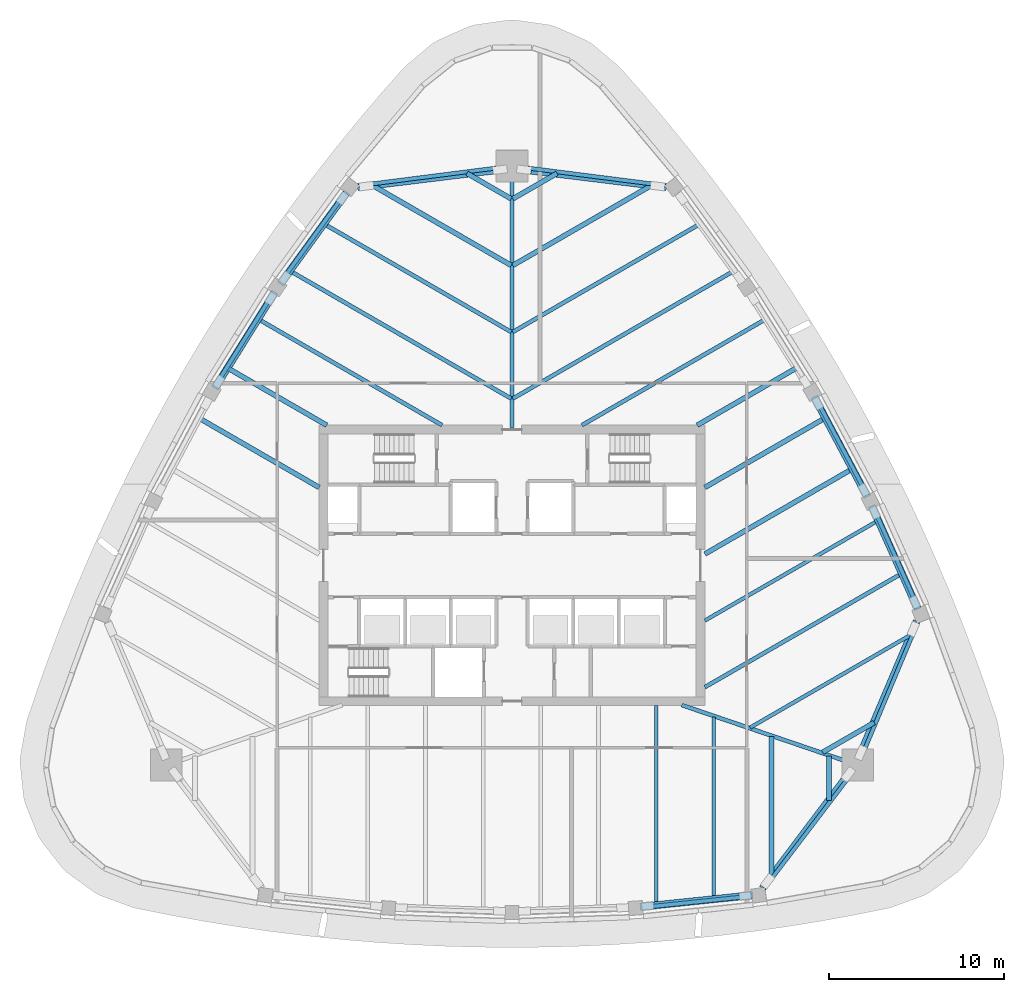
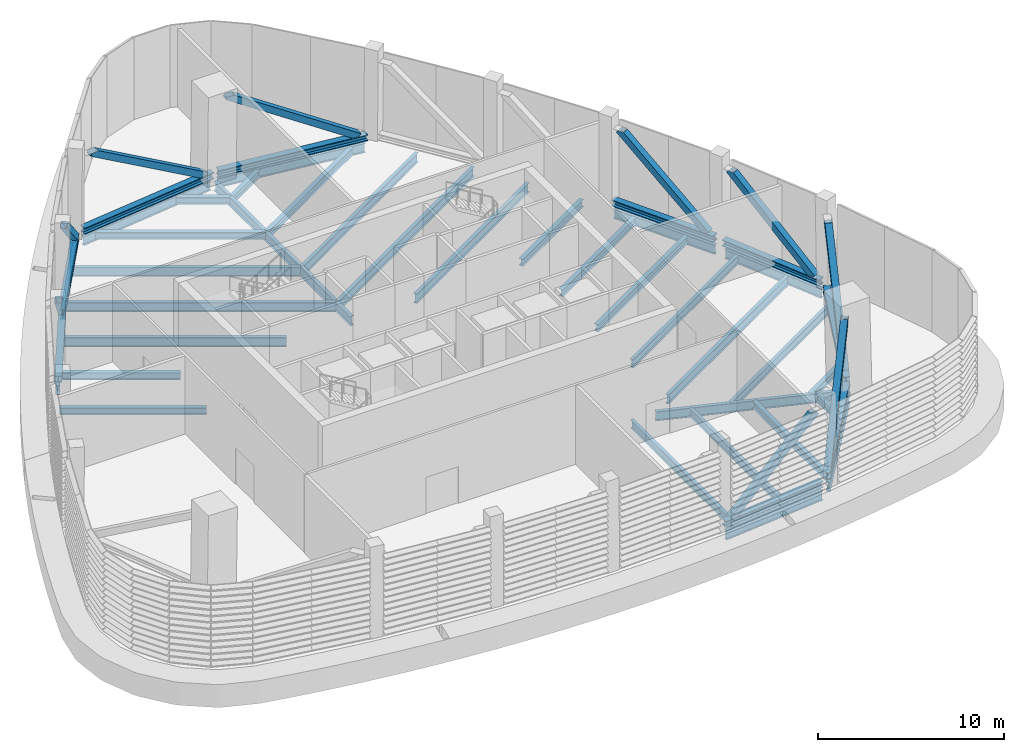
# One storey, part 2 of 15: 43 beams, 9 members.
"""IFC4 building model written with IfcOpenShell, lengths in metres."""

from ifc_helpers import new_model, si_unit, direction, frame, origin, origin_2d, place, context, subcontext, project, spatial, hollow_rectangle, i_section, extrude, clip, halfspace, material, material_profile, profile_set, type_object, element, save


model = new_model("IFC4")

# Units and contexts
model_context = context("Model", 3, precision=1e-05, world=origin(), true_north=direction((0.0, 1.0)))
body_context = subcontext(model_context, "Body", "Model", "MODEL_VIEW")
ifc_project = project(units=[si_unit("LENGTHUNIT", "METRE"), si_unit("AREAUNIT", "SQUARE_METRE"), si_unit("VOLUMEUNIT", "CUBIC_METRE"), si_unit("PLANEANGLEUNIT", "RADIAN"), si_unit("MASSUNIT", "GRAM", prefix="KILO")], contexts=[model_context])

# Site, building, storey
site_placement = place(None, origin())
site = spatial("IfcSite", under=ifc_project, at=site_placement, CompositionType="ELEMENT")
building_placement = place(site_placement, origin())
building = spatial("IfcBuilding", under=site, at=building_placement, Name="Sierra Prisma Convention Tower", CompositionType="ELEMENT")
storey_placement = place(building_placement, frame((0.0, 0.0, 324.39990234375)))
storey = spatial("IfcBuildingStorey", under=building, at=storey_placement, Name="L74", CompositionType="ELEMENT", Elevation=324.39990234375)

# Beams
ifc_material_1 = material(Name="Steel ASTM A992 Gr 50", Category="steel")
ifc_material_profile_1 = material_profile(ifc_material_1, i_section(OverallWidth=0.280029296875, OverallDepth=0.462890625, WebThickness=0.0107421875, FlangeThickness=0.017333984375, at=origin_2d()), Name="W460x113")
ifc_profile_set_1 = profile_set([ifc_material_profile_1], Name="Steel ASTM A992 Gr 50")
beam_type_1 = type_object("IfcBeamType", Name="Plant floor joist W460x113", PredefinedType="JOIST", material=ifc_profile_set_1)
beam_1_placement = place(storey_placement, frame((14.80126953125, -17.73388671875, -0.4814453125), z_axis=(0.0, 1.0, 0.0), x_axis=(-1.0, 0.0, 0.0)))
element("IfcBeam", 1, at=beam_1_placement, inside=storey, type_object=beam_type_1, Name="Floor joist L74 S11", PredefinedType="JOIST", context=body_context, shape_type="SweptSolid", body=[
    extrude(i_section(OverallWidth=0.280029296875, OverallDepth=0.462890625, WebThickness=0.0107421875, FlangeThickness=0.017333984375, at=origin_2d()), origin(), (0.0, 0.0, 1.0), 7.97705078125),
])
beam_2_placement = place(storey_placement, frame((18.090576171875, -13.4140625, -0.4814453125), z_axis=(0.0, 1.0, 0.0), x_axis=(-1.0, 0.0, 0.0)))
element("IfcBeam", 2, at=beam_2_placement, inside=storey, type_object=beam_type_1, Name="Floor joist L74 S12", PredefinedType="JOIST", context=body_context, shape_type="SweptSolid", body=[
    extrude(i_section(OverallWidth=0.280029296875, OverallDepth=0.462890625, WebThickness=0.0107421875, FlangeThickness=0.017333984375, at=origin_2d()), origin(), (0.0, 0.0, 1.0), 2.53369140625),
])
beam_3_placement = place(storey_placement, frame((20.662109375, -8.959716796875, -0.4814453125), z_axis=(-0.866035946581, -0.499981738895, 0.0), x_axis=(0.499981738895, -0.866035946581, 0.0)))
element("IfcBeam", 3, at=beam_3_placement, inside=storey, type_object=beam_type_1, Name="Floor joist L74 NE01", PredefinedType="JOIST", context=body_context, shape_type="SweptSolid", body=[
    extrude(i_section(OverallWidth=0.280029296875, OverallDepth=0.462890625, WebThickness=0.0107421875, FlangeThickness=0.017333984375, at=origin_2d()), origin(), (0.0, 0.0, 1.0), 3.396240234375),
])
beam_4_placement = place(storey_placement, frame((19.402587890625, 5.505126953125, -0.4814453125), z_axis=(-0.866021745135, -0.500006336914, 0.0), x_axis=(0.500006336914, -0.866021745135, 0.0)))
element("IfcBeam", 4, at=beam_4_placement, inside=storey, type_object=beam_type_1, Name="Floor joist L74 NE05", PredefinedType="JOIST", context=body_context, shape_type="SweptSolid", body=[
    extrude(i_section(OverallWidth=0.280029296875, OverallDepth=0.462890625, WebThickness=0.0107421875, FlangeThickness=0.017333984375, at=origin_2d()), origin(), (0.0, 0.0, 1.0), 9.702392578125),
])
beam_5_placement = place(storey_placement, frame((17.8564453125, 8.410400390625, -0.4814453125), z_axis=(-0.866029475843, -0.499992946921, 0.0), x_axis=(0.499992946921, -0.866029475843, 0.0)))
element("IfcBeam", 5, at=beam_5_placement, inside=storey, type_object=beam_type_1, Name="Floor joist L74 NE06", PredefinedType="JOIST", context=body_context, shape_type="SweptSolid", body=[
    extrude(i_section(OverallWidth=0.280029296875, OverallDepth=0.462890625, WebThickness=0.0107421875, FlangeThickness=0.017333984375, at=origin_2d()), origin(), (0.0, 0.0, 1.0), 7.9169921875),
])
beam_6_placement = place(storey_placement, frame((16.2119140625, 11.259033203125, -0.4814453125), z_axis=(-0.866024034475, -0.500002371706, 0.0), x_axis=(0.500002371706, -0.866024034475, 0.0)))
element("IfcBeam", 6, at=beam_6_placement, inside=storey, type_object=beam_type_1, Name="Floor joist L74 NE07", PredefinedType="JOIST", context=body_context, shape_type="SweptSolid", body=[
    extrude(i_section(OverallWidth=0.280029296875, OverallDepth=0.462890625, WebThickness=0.0107421875, FlangeThickness=0.017333984375, at=origin_2d()), origin(), (0.0, 0.0, 1.0), 6.51806640625),
])
beam_7_placement = place(storey_placement, frame((7.957275390625, 21.685302734375, -0.4814453125), z_axis=(-0.866020923391, -0.500007760188, 0.0), x_axis=(0.500007760188, -0.866020923391, 0.0)))
element("IfcBeam", 7, at=beam_7_placement, inside=storey, type_object=beam_type_1, Name="Floor joist L74 NE11", PredefinedType="JOIST", context=body_context, shape_type="SweptSolid", body=[
    extrude(i_section(OverallWidth=0.280029296875, OverallDepth=0.462890625, WebThickness=0.0107421875, FlangeThickness=0.017333984375, at=origin_2d()), origin(), (0.0, 0.0, 1.0), 9.135498046875),
])
for number, where, z_axis, x_axis, name in (
    (8, (2.57177734375, 22.373779296875, -0.4814453125), (-0.866055964107, -0.499947064232, 0.0), (0.499947064232, -0.866055964107, 0.0), "Floor joist L74 NE12"),
    (9, (-2.57177734375, 22.373779296875, -0.4814453125), (0.866055964107, -0.499947064232, 0.0), (0.499947064232, 0.866055964107, 0.0), "Floor joist L74 NW01"),
):
    element("IfcBeam", number, at=place(storey_placement, frame(where, z_axis=z_axis, x_axis=x_axis)), inside=storey, type_object=beam_type_1, Name=name, PredefinedType="JOIST", context=body_context, shape_type="SweptSolid", body=[
        extrude(i_section(OverallWidth=0.280029296875, OverallDepth=0.462890625, WebThickness=0.0107421875, FlangeThickness=0.017333984375, at=origin_2d()), origin(), (0.0, 0.0, 1.0), 2.916748046875),
    ])
beam_8_placement = place(storey_placement, frame((-7.957275390625, 21.685302734375, -0.4814453125), z_axis=(0.866020923391, -0.500007760188, 0.0), x_axis=(0.500007760188, 0.866020923391, 0.0)))
element("IfcBeam", 10, at=beam_8_placement, inside=storey, type_object=beam_type_1, Name="Floor joist L74 NW02", PredefinedType="JOIST", context=body_context, shape_type="SweptSolid", body=[
    extrude(i_section(OverallWidth=0.280029296875, OverallDepth=0.462890625, WebThickness=0.0107421875, FlangeThickness=0.017333984375, at=origin_2d()), origin(), (0.0, 0.0, 1.0), 9.135498046875),
])
beam_9_placement = place(storey_placement, frame((-16.2119140625, 11.259033203125, -0.4814453125), z_axis=(0.866024034475, -0.500002371706, 0.0), x_axis=(0.500002371706, 0.866024034475, 0.0)))
element("IfcBeam", 11, at=beam_9_placement, inside=storey, type_object=beam_type_1, Name="Floor joist L74 NW06", PredefinedType="JOIST", context=body_context, shape_type="SweptSolid", body=[
    extrude(i_section(OverallWidth=0.280029296875, OverallDepth=0.462890625, WebThickness=0.0107421875, FlangeThickness=0.017333984375, at=origin_2d()), origin(), (0.0, 0.0, 1.0), 6.51806640625),
])
beam_10_placement = place(storey_placement, frame((-17.8564453125, 8.410400390625, -0.4814453125), z_axis=(0.866029475843, -0.499992946921, 0.0), x_axis=(0.499992946921, 0.866029475843, 0.0)))
element("IfcBeam", 12, at=beam_10_placement, inside=storey, type_object=beam_type_1, Name="Floor joist L74 NW07", PredefinedType="JOIST", context=body_context, shape_type="SweptSolid", body=[
    extrude(i_section(OverallWidth=0.280029296875, OverallDepth=0.462890625, WebThickness=0.0107421875, FlangeThickness=0.017333984375, at=origin_2d()), origin(), (0.0, 0.0, 1.0), 7.9169921875),
])
ifc_material_2 = material(Name="Steel ASTM A992 Gr 50", Category="steel")
ifc_material_profile_2 = material_profile(ifc_material_2, i_section(OverallWidth=0.2119140625, OverallDepth=0.5439453125, WebThickness=0.01318359375, FlangeThickness=0.021240234375, at=origin_2d()), Name="W530x123")
ifc_profile_set_2 = profile_set([ifc_material_profile_2], Name="Steel ASTM A992 Gr 50")
beam_type_2 = type_object("IfcBeamType", Name="Plant floor joist W530x123", PredefinedType="JOIST", material=ifc_profile_set_2)
beam_11_placement = place(storey_placement, frame((8.222900390625, -19.360595703125, -0.52197265625), z_axis=(0.0, 1.0, 0.0), x_axis=(-1.0, 0.0, 0.0)))
element("IfcBeam", 13, at=beam_11_placement, inside=storey, type_object=beam_type_2, Name="Floor joist L74 S09", PredefinedType="JOIST", context=body_context, shape_type="SweptSolid", body=[
    extrude(i_section(OverallWidth=0.2119140625, OverallDepth=0.5439453125, WebThickness=0.01318359375, FlangeThickness=0.021240234375, at=origin_2d()), origin(), (0.0, 0.0, 1.0), 11.360595703125),
])
beam_12_placement = place(storey_placement, frame((11.51220703125, -19.01806640625, -0.52197265625), z_axis=(0.0, 1.0, 0.0), x_axis=(-1.0, 0.0, 0.0)))
element("IfcBeam", 14, at=beam_12_placement, inside=storey, type_object=beam_type_2, Name="Floor joist L74 S10", PredefinedType="JOIST", context=body_context, shape_type="SweptSolid", body=[
    extrude(i_section(OverallWidth=0.2119140625, OverallDepth=0.5439453125, WebThickness=0.01318359375, FlangeThickness=0.021240234375, at=origin_2d()), origin(), (0.0, 0.0, 1.0), 10.385009765625),
])
beam_13_placement = place(storey_placement, frame((22.758544921875, -3.951416015625, -0.52197265625), z_axis=(-0.866029704776, -0.49999255039, 0.0), x_axis=(0.49999255039, -0.866029704776, 0.0)))
element("IfcBeam", 15, at=beam_13_placement, inside=storey, type_object=beam_type_2, Name="Floor joist L74 NE02", PredefinedType="JOIST", context=body_context, shape_type="SweptSolid", body=[
    extrude(i_section(OverallWidth=0.2119140625, OverallDepth=0.5439453125, WebThickness=0.01318359375, FlangeThickness=0.021240234375, at=origin_2d()), origin(), (0.0, 0.0, 1.0), 10.589111328125),
])
beam_14_placement = place(storey_placement, frame((20.878173828125, 2.558837890625, -0.52197265625), z_axis=(-0.866026972346, -0.499997283162, 0.0), x_axis=(0.499997283162, -0.866026972346, 0.0)))
element("IfcBeam", 16, at=beam_14_placement, inside=storey, type_object=beam_type_2, Name="Floor joist L74 NE04", PredefinedType="JOIST", context=body_context, shape_type="SweptSolid", body=[
    extrude(i_section(OverallWidth=0.2119140625, OverallDepth=0.5439453125, WebThickness=0.01318359375, FlangeThickness=0.021240234375, at=origin_2d()), origin(), (0.0, 0.0, 1.0), 11.40625),
])
ifc_material_3 = material(Name="Steel ASTM A992 Gr 50", Category="steel")
ifc_material_profile_3 = material_profile(ifc_material_3, i_section(OverallWidth=0.22900390625, OverallDepth=0.612060546875, WebThickness=0.011962890625, FlangeThickness=0.01953125, at=origin_2d()), Name="W610x125")
ifc_profile_set_3 = profile_set([ifc_material_profile_3], Name="Steel ASTM A992 Gr 50")
beam_type_3 = type_object("IfcBeamType", Name="Plant floor joist W610x125", PredefinedType="JOIST", material=ifc_profile_set_3)
beam_15_placement = place(storey_placement, frame((22.22607421875, -0.460693359375, -0.555908203125), z_axis=(-0.866023120914, -0.500003954026, 0.0), x_axis=(0.500003954026, -0.866023120914, 0.0)))
element("IfcBeam", 17, at=beam_15_placement, inside=storey, type_object=beam_type_3, Name="Floor joist L74 NE03", PredefinedType="JOIST", context=body_context, shape_type="SweptSolid", body=[
    extrude(i_section(OverallWidth=0.22900390625, OverallDepth=0.612060546875, WebThickness=0.011962890625, FlangeThickness=0.01953125, at=origin_2d()), origin(), (0.0, 0.0, 1.0), 12.962890625),
])
beam_16_placement = place(storey_placement, frame((14.46875, 14.050537109375, -0.555908203125), z_axis=(-0.866028353523, -0.499994890867, 0.0), x_axis=(0.499994890867, -0.866028353523, 0.0)))
element("IfcBeam", 18, at=beam_16_placement, inside=storey, type_object=beam_type_3, Name="Floor joist L74 NE08", PredefinedType="JOIST", context=body_context, shape_type="SweptSolid", body=[
    extrude(i_section(OverallWidth=0.22900390625, OverallDepth=0.612060546875, WebThickness=0.011962890625, FlangeThickness=0.01953125, at=origin_2d()), origin(), (0.0, 0.0, 1.0), 12.101318359375),
])
beam_17_placement = place(storey_placement, frame((12.655029296875, 16.801513671875, -0.555908203125), z_axis=(-0.86602530724, -0.50000016722, 0.0), x_axis=(0.50000016722, -0.86602530724, 0.0)))
element("IfcBeam", 19, at=beam_17_placement, inside=storey, type_object=beam_type_3, Name="Floor joist L74 NE09", PredefinedType="JOIST", context=body_context, shape_type="SweptSolid", body=[
    extrude(i_section(OverallWidth=0.22900390625, OverallDepth=0.612060546875, WebThickness=0.011962890625, FlangeThickness=0.01953125, at=origin_2d()), origin(), (0.0, 0.0, 1.0), 14.56005859375),
])
for number, where, z_axis, x_axis, name in (
    (20, (10.714111328125, 19.478759765625, -0.555908203125), (-0.86602585057, -0.499999226144, 0.0), (0.499999226144, -0.86602585057, 0.0), "Floor joist L74 NE10"),
    (21, (-10.714111328125, 19.478759765625, -0.555908203125), (0.86602585057, -0.499999226144, 0.0), (0.499999226144, 0.86602585057, 0.0), "Floor joist L74 NW03"),
):
    element("IfcBeam", number, at=place(storey_placement, frame(where, z_axis=z_axis, x_axis=x_axis)), inside=storey, type_object=beam_type_3, Name=name, PredefinedType="JOIST", context=body_context, shape_type="SweptSolid", body=[
        extrude(i_section(OverallWidth=0.22900390625, OverallDepth=0.612060546875, WebThickness=0.011962890625, FlangeThickness=0.01953125, at=origin_2d()), origin(), (0.0, 0.0, 1.0), 12.31884765625),
    ])
beam_18_placement = place(storey_placement, frame((-12.655029296875, 16.801513671875, -0.555908203125), z_axis=(0.86602530724, -0.50000016722, 0.0), x_axis=(0.50000016722, 0.86602530724, 0.0)))
element("IfcBeam", 22, at=beam_18_placement, inside=storey, type_object=beam_type_3, Name="Floor joist L74 NW04", PredefinedType="JOIST", context=body_context, shape_type="SweptSolid", body=[
    extrude(i_section(OverallWidth=0.22900390625, OverallDepth=0.612060546875, WebThickness=0.011962890625, FlangeThickness=0.01953125, at=origin_2d()), origin(), (0.0, 0.0, 1.0), 14.56005859375),
])
beam_19_placement = place(storey_placement, frame((-14.46875, 14.050537109375, -0.555908203125), z_axis=(0.866028353523, -0.499994890867, 0.0), x_axis=(0.499994890867, 0.866028353523, 0.0)))
element("IfcBeam", 23, at=beam_19_placement, inside=storey, type_object=beam_type_3, Name="Floor joist L74 NW05", PredefinedType="JOIST", context=body_context, shape_type="SweptSolid", body=[
    extrude(i_section(OverallWidth=0.22900390625, OverallDepth=0.612060546875, WebThickness=0.011962890625, FlangeThickness=0.01953125, at=origin_2d()), origin(), (0.0, 0.0, 1.0), 12.101318359375),
])
ifc_material_4 = material(Name="Steel ASTM A992 Gr 50", Category="steel")
ifc_material_profile_4 = material_profile(ifc_material_4, i_section(OverallWidth=0.22802734375, OverallDepth=0.60302734375, WebThickness=0.010498046875, FlangeThickness=0.014892578125, at=origin_2d()), Name="W610x101")
ifc_profile_set_4 = profile_set([ifc_material_profile_4], Name="Steel ASTM A992 Gr 50")
beam_type_4 = type_object("IfcBeamType", Name="Radial girder W610x101", PredefinedType="BEAM", material=ifc_profile_set_4)
beam_20_placement = place(storey_placement, frame((19.51513671875, -11.31884765625, -0.551513671875), z_axis=(-0.946304086919, 0.323277860485, 0.0), x_axis=(-0.323277860485, -0.946304086919, 0.0)))
element("IfcBeam", 24, at=beam_20_placement, inside=storey, type_object=beam_type_4, Name="Radial girder L74 SE", PredefinedType="BEAM", context=body_context, shape_type="SweptSolid", body=[
    extrude(i_section(OverallWidth=0.22802734375, OverallDepth=0.60302734375, WebThickness=0.010498046875, FlangeThickness=0.014892578125, at=origin_2d()), origin(), (0.0, 0.0, 1.0), 10.38623046875),
])
beam_21_placement = place(storey_placement, frame((0.0, 22.568115234375, -0.551513671875), z_axis=(0.0, -1.0, 0.0), x_axis=(1.0, 0.0, 0.0)))
element("IfcBeam", 25, at=beam_21_placement, inside=storey, type_object=beam_type_4, Name="Radial girder L74 N", PredefinedType="BEAM", context=body_context, shape_type="SweptSolid", body=[
    extrude(i_section(OverallWidth=0.22802734375, OverallDepth=0.60302734375, WebThickness=0.010498046875, FlangeThickness=0.014892578125, at=origin_2d()), origin(), (0.0, 0.0, 1.0), 14.688232421875),
])
ifc_material_5 = material(Name="Steel ASTM A992 Gr 50", Category="steel")
ifc_material_profile_5 = material_profile(ifc_material_5, i_section(OverallWidth=0.22998046875, OverallDepth=0.616943359375, WebThickness=0.01318359375, FlangeThickness=0.022216796875, at=origin_2d()), Name="W610x140")
ifc_profile_set_5 = profile_set([ifc_material_profile_5], Name="Steel ASTM A992 Gr 50")
beam_type_5 = type_object("IfcBeamType", Name="Spandrel beam W610x140", PredefinedType="BEAM", material=ifc_profile_set_5)
beam_22_placement = place(storey_placement, frame((7.38720703125, -19.51318359375, -0.558349609375), z_axis=(0.994622664898, 0.103565218443, 0.0), x_axis=(-0.103565218443, 0.994622664898, 0.0)))
element("IfcBeam", 26, at=beam_22_placement, inside=storey, type_object=beam_type_5, Name="Spandrel L74-05", PredefinedType="BEAM", context=body_context, shape_type="SweptSolid", body=[
    extrude(i_section(OverallWidth=0.22998046875, OverallDepth=0.616943359375, WebThickness=0.01318359375, FlangeThickness=0.022216796875, at=origin_2d()), origin(), (0.0, 0.0, 1.0), 6.402587890625),
])
beam_23_placement = place(storey_placement, frame((14.395263671875, -18.406982421875, -0.558349609375), z_axis=(0.605803682973, 0.795614163836, 0.0), x_axis=(-0.795614163836, 0.605803682973, 0.0)))
element("IfcBeam", 27, at=beam_23_placement, inside=storey, type_object=beam_type_5, Name="Spandrel L74-06", PredefinedType="BEAM", context=body_context, shape_type="SweptSolid", body=[
    extrude(i_section(OverallWidth=0.22998046875, OverallDepth=0.616943359375, WebThickness=0.01318359375, FlangeThickness=0.022216796875, at=origin_2d()), origin(), (0.0, 0.0, 1.0), 8.5380859375),
])
beam_24_placement = place(storey_placement, frame((19.8271484375, -11.174072265625, -0.558349609375), z_axis=(0.386112737884, 0.922451599621, 0.0), x_axis=(-0.922451599621, 0.386112737884, 0.0)))
element("IfcBeam", 28, at=beam_24_placement, inside=storey, type_object=beam_type_5, Name="Spandrel L74-07", PredefinedType="BEAM", context=body_context, shape_type="SweptSolid", body=[
    extrude(i_section(OverallWidth=0.22998046875, OverallDepth=0.616943359375, WebThickness=0.01318359375, FlangeThickness=0.022216796875, at=origin_2d()), origin(), (0.0, 0.0, 1.0), 8.575927734375),
])
beam_25_placement = place(storey_placement, frame((23.202392578125, -2.4873046875, -0.558349609375), z_axis=(-0.407645162446, 0.913140417206, 0.0), x_axis=(-0.913140417206, -0.407645162446, 0.0)))
element("IfcBeam", 29, at=beam_25_placement, inside=storey, type_object=beam_type_5, Name="Spandrel L74-08", PredefinedType="BEAM", context=body_context, shape_type="SweptSolid", body=[
    extrude(i_section(OverallWidth=0.22998046875, OverallDepth=0.616943359375, WebThickness=0.01318359375, FlangeThickness=0.022216796875, at=origin_2d()), origin(), (0.0, 0.0, 1.0), 6.40234375),
])
beam_26_placement = place(storey_placement, frame((20.302734375, 3.9521484375, -0.558349609375), z_axis=(-0.469750829898, 0.882799047241, 0.0), x_axis=(-0.882799047241, -0.469750829898, 0.0)))
element("IfcBeam", 30, at=beam_26_placement, inside=storey, type_object=beam_type_5, Name="Spandrel L74-09", PredefinedType="BEAM", context=body_context, shape_type="SweptSolid", body=[
    extrude(i_section(OverallWidth=0.22998046875, OverallDepth=0.616943359375, WebThickness=0.01318359375, FlangeThickness=0.022216796875, at=origin_2d()), origin(), (0.0, 0.0, 1.0), 6.402587890625),
])
for number, where, z_axis, x_axis, name in (
    (31, (8.7431640625, 21.670166015625, -0.558349609375), (-0.99192378844, 0.12683531814, 0.0), (-0.12683531814, -0.99192378844, 0.0), "Spandrel L74-12"),
    (32, (-0.219970703125, 22.760009765625, -0.558349609375), (-0.99192378844, -0.12683531814, 0.0), (0.12683531814, -0.99192378844, 0.0), "Spandrel L74-13"),
):
    element("IfcBeam", number, at=place(storey_placement, frame(where, z_axis=z_axis, x_axis=x_axis)), inside=storey, type_object=beam_type_5, Name=name, PredefinedType="BEAM", context=body_context, shape_type="SweptSolid", body=[
        extrude(i_section(OverallWidth=0.22998046875, OverallDepth=0.616943359375, WebThickness=0.01318359375, FlangeThickness=0.022216796875, at=origin_2d()), origin(), (0.0, 0.0, 1.0), 8.592529296875),
    ])
beam_27_placement = place(storey_placement, frame((-9.447021484375, 21.33740234375, -0.558349609375), z_axis=(-0.586980693747, -0.809600929575, 0.0), x_axis=(0.809600929575, -0.586980693747, 0.0)))
element("IfcBeam", 33, at=beam_27_placement, inside=storey, type_object=beam_type_5, Name="Spandrel L74-14", PredefinedType="BEAM", context=body_context, shape_type="SweptSolid", body=[
    extrude(i_section(OverallWidth=0.22998046875, OverallDepth=0.616943359375, WebThickness=0.01318359375, FlangeThickness=0.022216796875, at=origin_2d()), origin(), (0.0, 0.0, 1.0), 6.40234375),
])
beam_28_placement = place(storey_placement, frame((-13.573974609375, 15.6064453125, -0.558349609375), z_axis=(-0.529656135439, -0.848212460526, 0.0), x_axis=(0.848212460526, -0.529656135439, 0.0)))
element("IfcBeam", 34, at=beam_28_placement, inside=storey, type_object=beam_type_5, Name="Spandrel L74-15", PredefinedType="BEAM", context=body_context, shape_type="SweptSolid", body=[
    extrude(i_section(OverallWidth=0.22998046875, OverallDepth=0.616943359375, WebThickness=0.01318359375, FlangeThickness=0.022216796875, at=origin_2d()), origin(), (0.0, 0.0, 1.0), 6.402587890625),
])
ifc_material_6 = material(Name="Steel ASTM A992 Gr 50", Category="steel")
ifc_material_profile_6 = material_profile(ifc_material_6, i_section(OverallWidth=0.404052734375, OverallDepth=0.406982421875, WebThickness=0.027099609375, FlangeThickness=0.04443359375, at=origin_2d()), Name="W360x347")
ifc_profile_set_6 = profile_set([ifc_material_profile_6], Name="Steel ASTM A992 Gr 50")
beam_type_6 = type_object("IfcBeamType", Name="Truss chord W360x347", PredefinedType="BEAM", material=ifc_profile_set_6)
beam_29_placement = place(storey_placement, frame((7.302490234375, -19.4736328125, 0.20361328125), z_axis=(0.994617598504, 0.103613863677, 0.0), x_axis=(-0.103613863677, 0.994617598504, 0.0)))
element("IfcBeam", 35, at=beam_29_placement, inside=storey, type_object=beam_type_6, Name="Belt truss L74-05 bottom chord 1", PredefinedType="BEAM", context=body_context, shape_type="SweptSolid", body=[
    extrude(i_section(OverallWidth=0.404052734375, OverallDepth=0.406982421875, WebThickness=0.027099609375, FlangeThickness=0.04443359375, at=origin_2d()), origin(), (0.0, 0.0, 1.0), 6.468017578125),
])
beam_30_placement = place(storey_placement, frame((14.281982421875, -18.419189453125, 0.20361328125), z_axis=(0.601840588334, 0.798616244659, 0.0), x_axis=(-0.798616244659, 0.601840588334, 0.0)))
element("IfcBeam", 36, at=beam_30_placement, inside=storey, type_object=beam_type_6, Name="Belt truss L74-06 bottom chord 1", PredefinedType="BEAM", context=body_context, shape_type="SweptSolid", body=[
    extrude(i_section(OverallWidth=0.404052734375, OverallDepth=0.406982421875, WebThickness=0.027099609375, FlangeThickness=0.04443359375, at=origin_2d()), origin(), (0.0, 0.0, 1.0), 8.6513671875),
])
beam_31_placement = place(storey_placement, frame((19.70068359375, -11.150146484375, 0.20361328125), z_axis=(0.390685621204, 0.920524168821, 0.0), x_axis=(-0.920524168821, 0.390685621204, 0.0)))
element("IfcBeam", 37, at=beam_31_placement, inside=storey, type_object=beam_type_6, Name="Belt truss L74-07 bottom chord 1", PredefinedType="BEAM", context=body_context, shape_type="SweptSolid", body=[
    extrude(i_section(OverallWidth=0.404052734375, OverallDepth=0.406982421875, WebThickness=0.027099609375, FlangeThickness=0.04443359375, at=origin_2d()), origin(), (0.0, 0.0, 1.0), 8.68115234375),
])
for number, where, z_axis, x_axis, name in (
    (38, (23.152099609375, -2.493408203125, 0.20361328125), (-0.40760194114, 0.913159710883, 0.0), (-0.913159710883, -0.40760194114, 0.0), "Belt truss L74-08 bottom chord 1"),
    (39, (20.27001953125, 3.915771484375, 0.20361328125), (-0.469733790887, 0.882808113748, 0.0), (-0.882808113748, -0.469733790887, 0.0), "Belt truss L74-09 bottom chord 1"),
):
    element("IfcBeam", number, at=place(storey_placement, frame(where, z_axis=z_axis, x_axis=x_axis)), inside=storey, type_object=beam_type_6, Name=name, PredefinedType="BEAM", context=body_context, shape_type="SweptSolid", body=[
        extrude(i_section(OverallWidth=0.404052734375, OverallDepth=0.406982421875, WebThickness=0.027099609375, FlangeThickness=0.04443359375, at=origin_2d()), origin(), (0.0, 0.0, 1.0), 6.4677734375),
    ])
for number, where, z_axis, x_axis, name in (
    (40, (8.810302734375, 21.578125, 0.20361328125), (-0.992540832888, 0.121912653363, 0.0), (-0.121912653363, -0.992540832888, 0.0), "Belt truss L74-12 bottom chord 1"),
    (41, (-0.179931640625, 22.63818359375, 0.20361328125), (-0.992540832888, -0.121912653363, 0.0), (0.121912653363, -0.992540832888, 0.0), "Belt truss L74-13 bottom chord 1"),
):
    element("IfcBeam", number, at=place(storey_placement, frame(where, z_axis=z_axis, x_axis=x_axis)), inside=storey, type_object=beam_type_6, Name=name, PredefinedType="BEAM", context=body_context, shape_type="SweptSolid", body=[
        extrude(i_section(OverallWidth=0.404052734375, OverallDepth=0.406982421875, WebThickness=0.027099609375, FlangeThickness=0.04443359375, at=origin_2d()), origin(), (0.0, 0.0, 1.0), 8.6953125),
    ])
beam_32_placement = place(storey_placement, frame((-9.41650390625, 21.297119140625, 0.20361328125), z_axis=(-0.587039939266, -0.809557971801, 0.0), x_axis=(0.809557971801, -0.587039939266, 0.0)))
element("IfcBeam", 42, at=beam_32_placement, inside=storey, type_object=beam_type_6, Name="Belt truss L74-14 bottom chord 1", PredefinedType="BEAM", context=body_context, shape_type="SweptSolid", body=[
    extrude(i_section(OverallWidth=0.404052734375, OverallDepth=0.406982421875, WebThickness=0.027099609375, FlangeThickness=0.04443359375, at=origin_2d()), origin(), (0.0, 0.0, 1.0), 6.4677734375),
])
beam_33_placement = place(storey_placement, frame((-13.526123046875, 15.596435546875, 0.20361328125), z_axis=(-0.529679953111, -0.848197587401, 0.0), x_axis=(0.848197587401, -0.529679953111, 0.0)))
element("IfcBeam", 43, at=beam_33_placement, inside=storey, type_object=beam_type_6, Name="Belt truss L74-15 bottom chord 1", PredefinedType="BEAM", context=body_context, shape_type="SweptSolid", body=[
    extrude(i_section(OverallWidth=0.404052734375, OverallDepth=0.406982421875, WebThickness=0.027099609375, FlangeThickness=0.04443359375, at=origin_2d()), origin(), (0.0, 0.0, 1.0), 6.467529296875),
])

# Members
ifc_material_7 = material(Name="Steel ASTM A500 Gr C", Category="steel")
ifc_material_profile_7 = material_profile(ifc_material_7, hollow_rectangle(XDim=0.406005859375, YDim=0.406005859375, WallThickness=0.01904296875, at=origin_2d()), Name="Truss diagonal HSS 406x406x19")
ifc_profile_set_7 = profile_set([ifc_material_profile_7], Name="Steel ASTM A500 Gr C")
member_type = type_object("IfcMemberType", Name="Truss diagonal HSS 406x406x19", PredefinedType="BRACE", material=ifc_profile_set_7)
member_1_placement = place(storey_placement, frame((7.735107421875, -19.428466796875, 0.406982421875), z_axis=(0.759994649744, 0.079145281643, 0.645092362964), x_axis=(-0.103579119148, 0.994621217387, 0.0)))
element("IfcMember", 44, at=member_1_placement, inside=storey, type_object=member_type, Name="Belt truss L74-05 diagonal 1", PredefinedType="BRACE", context=body_context, shape_type="SweptSolid", body=[
    clip(clip(extrude(hollow_rectangle(XDim=0.406005859375, YDim=0.406005859375, WallThickness=0.01904296875, at=origin_2d()), origin(), (0.0, 0.0, 1.0), 7.326171875), halfspace(frame((0.0, 0.011474609375, 0.009765625), z_axis=(0.0, 0.764104602293, 0.645092362964), x_axis=(1.0, 0.0, 0.0)), True)), halfspace(frame((0.0, -0.011474609375, 7.31689453125), z_axis=(0.0, -0.764104602293, -0.645092362964), x_axis=(1.0, 0.0, 0.0)), True)),
])
member_2_placement = place(storey_placement, frame((14.58642578125, -18.01513671875, 0.406982421875), z_axis=(0.511827884132, 0.679157798782, 0.526095905115), x_axis=(-0.798609639319, 0.601849353233, 0.0)))
element("IfcMember", 45, at=member_2_placement, inside=storey, type_object=member_type, Name="Belt truss L74-06 diagonal 1", PredefinedType="BRACE", context=body_context, shape_type="SweptSolid", body=[
    clip(clip(extrude(hollow_rectangle(XDim=0.406005859375, YDim=0.406005859375, WallThickness=0.01904296875, at=origin_2d()), origin(), (0.0, 0.0, 1.0), 8.9833984375), halfspace(frame((0.0, 0.012939453125, 0.008056640625), z_axis=(0.0, 0.850425245757, 0.526095905115), x_axis=(1.0, 0.0, 0.0)), True)), halfspace(frame((0.0, -0.0126953125, 8.975341796875), z_axis=(0.0, -0.850425245757, -0.526095905115), x_axis=(1.0, 0.0, 0.0)), True)),
])
member_3_placement = place(storey_placement, frame((19.898681640625, -10.68359375, 0.406982421875), z_axis=(0.332585895258, 0.783623327783, 0.52471049392), x_axis=(-0.92052279742, 0.390688852451, 0.0)))
element("IfcMember", 46, at=member_3_placement, inside=storey, type_object=member_type, Name="Belt truss L74-07 diagonal 1", PredefinedType="BRACE", context=body_context, shape_type="SweptSolid", body=[
    clip(clip(extrude(hollow_rectangle(XDim=0.406005859375, YDim=0.406005859375, WallThickness=0.01904296875, at=origin_2d()), origin(), (0.0, 0.0, 1.0), 9.007080078125), halfspace(frame((-0.000244140625, 0.012939453125, 0.008056640625), z_axis=(0.0, 0.851280739574, 0.52471049392), x_axis=(1.0, 0.0, 0.0)), True)), halfspace(frame((0.0, -0.012451171875, 8.9990234375), z_axis=(0.0, -0.851280739574, -0.52471049392), x_axis=(1.0, 0.0, 0.0)), True)),
])
member_4_placement = place(storey_placement, frame((22.974853515625, -2.096435546875, 0.406982421875), z_axis=(-0.311443096944, 0.697764498921, 0.645079763604), x_axis=(-0.91316657912, -0.407586553725, 0.0)))
element("IfcMember", 47, at=member_4_placement, inside=storey, type_object=member_type, Name="Belt truss L74-08 diagonal 1", PredefinedType="BRACE", context=body_context, shape_type="SweptSolid", body=[
    clip(clip(extrude(hollow_rectangle(XDim=0.406005859375, YDim=0.406005859375, WallThickness=0.01904296875, at=origin_2d()), origin(), (0.0, 0.0, 1.0), 7.326416015625), halfspace(frame((0.0, 0.011474609375, 0.009765625), z_axis=(0.0, 0.764115239076, 0.645079763604), x_axis=(1.0, 0.0, 0.0)), True)), halfspace(frame((0.0, -0.011474609375, 7.316650390625), z_axis=(0.0, -0.764115239076, -0.645079763604), x_axis=(1.0, 0.0, 0.0)), True)),
])
member_5_placement = place(storey_placement, frame((20.06591796875, 4.299560546875, 0.406982421875), z_axis=(-0.358957560748, 0.674561632215, 0.645070596079), x_axis=(-0.882791973686, -0.469764122934, 0.0)))
element("IfcMember", 48, at=member_5_placement, inside=storey, type_object=member_type, Name="Belt truss L74-09 diagonal 1", PredefinedType="BRACE", context=body_context, shape_type="SweptSolid", body=[
    clip(clip(extrude(hollow_rectangle(XDim=0.406005859375, YDim=0.406005859375, WallThickness=0.01904296875, at=origin_2d()), origin(), (0.0, 0.0, 1.0), 7.326416015625), halfspace(frame((0.0, 0.011474609375, 0.009765625), z_axis=(0.0, 0.764122978371, 0.645070596079), x_axis=(1.0, 0.0, 0.0)), True)), halfspace(frame((0.0, -0.011474609375, 7.31689453125), z_axis=(0.0, -0.764122978371, -0.645070596079), x_axis=(1.0, 0.0, 0.0)), True)),
])
for number, where, z_axis, x_axis, name in (
    (49, (8.306884765625, 21.639892578125, 0.406982421875), (-0.845325563423, 0.103848482347, 0.524061241209), (-0.121933603301, -0.992538259407, 0.0), "Belt truss L74-12 diagonal 1"),
    (50, (-0.68359375, 22.576416015625, 0.406982421875), (-0.845325563423, -0.103848482347, 0.524061241209), (0.121933603301, -0.992538259407, 0.0), "Belt truss L74-13 diagonal 1"),
):
    element("IfcMember", number, at=place(storey_placement, frame(where, z_axis=z_axis, x_axis=x_axis)), inside=storey, type_object=member_type, Name=name, PredefinedType="BRACE", context=body_context, shape_type="SweptSolid", body=[
        clip(clip(extrude(hollow_rectangle(XDim=0.406005859375, YDim=0.406005859375, WallThickness=0.01904296875, at=origin_2d()), origin(), (0.0, 0.0, 1.0), 9.01806640625), halfspace(frame((0.0, 0.012939453125, 0.0078125), z_axis=(0.0, 0.851680583002, 0.524061241209), x_axis=(1.0, 0.0, 0.0)), True)), halfspace(frame((0.0, -0.0126953125, 9.01025390625), z_axis=(0.0, -0.851680583002, -0.524061241209), x_axis=(1.0, 0.0, 0.0)), True)),
    ])
member_6_placement = place(storey_placement, frame((-9.671875, 20.945068359375, 0.406982421875), z_axis=(-0.448544895034, -0.618598728567, 0.64509153626), x_axis=(0.8095726183, -0.587019740468, 0.0)))
element("IfcMember", 51, at=member_6_placement, inside=storey, type_object=member_type, Name="Belt truss L74-14 diagonal 1", PredefinedType="BRACE", context=body_context, shape_type="SweptSolid", body=[
    clip(clip(extrude(hollow_rectangle(XDim=0.406005859375, YDim=0.406005859375, WallThickness=0.01904296875, at=origin_2d()), origin(), (0.0, 0.0, 1.0), 7.326171875), halfspace(frame((0.0, 0.011474609375, 0.009765625), z_axis=(0.0, 0.764109937741, 0.645086043134), x_axis=(1.0, 0.0, 0.0)), True)), halfspace(frame((0.0, -0.011474609375, 7.316650390625), z_axis=(0.0, -0.764105300234, -0.64509153626), x_axis=(1.0, 0.0, 0.0)), True)),
])
member_7_placement = place(storey_placement, frame((-13.756591796875, 15.227783203125, 0.406982421875), z_axis=(-0.404712906666, -0.648140472182, 0.645074717764), x_axis=(0.848218731715, -0.529646092374, 0.0)))
element("IfcMember", 52, at=member_7_placement, inside=storey, type_object=member_type, Name="Belt truss L74-15 diagonal 1", PredefinedType="BRACE", context=body_context, shape_type="SweptSolid", body=[
    clip(clip(extrude(hollow_rectangle(XDim=0.406005859375, YDim=0.406005859375, WallThickness=0.01904296875, at=origin_2d()), origin(), (0.0, 0.0, 1.0), 7.326416015625), halfspace(frame((0.0, 0.011474609375, 0.009765625), z_axis=(0.0, 0.764122978371, 0.645070596079), x_axis=(1.0, 0.0, 0.0)), True)), halfspace(frame((0.0, -0.011474609375, 7.31689453125), z_axis=(0.0, -0.764119498837, -0.645074717764), x_axis=(1.0, 0.0, 0.0)), True)),
])

save(model, "model.ifc")
